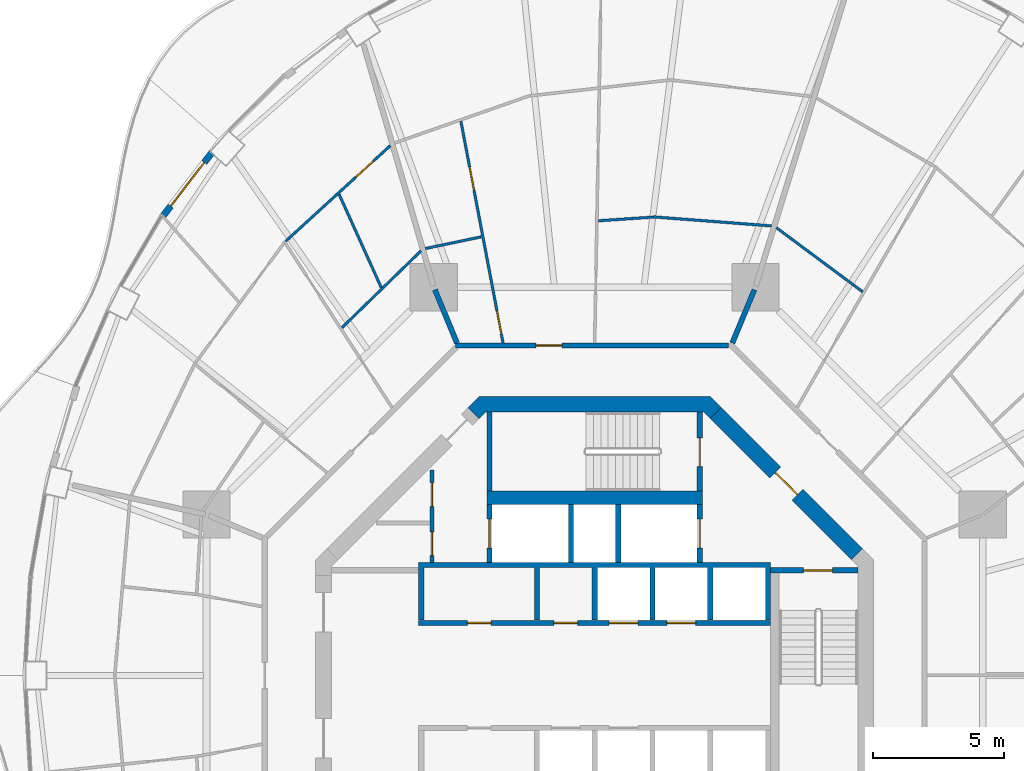
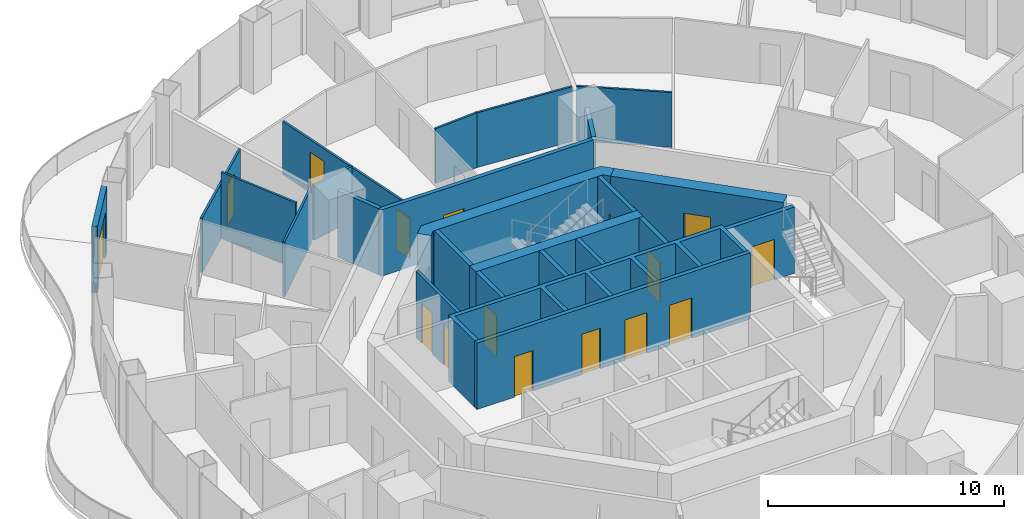
# One storey, part 14 of 19: 25 walls, 16 doors, 16 openings.
"""IFC4 building model written with IfcOpenShell, lengths in metres."""

from ifc_helpers import new_model, si_unit, direction, frame, frame_2d, origin, place, context, subcontext, project, spatial, polyline, rectangle, outline, extrude, material, layer, layer_set, type_object, element, fill, save


model = new_model("IFC4")

# Units and contexts
model_context = context("Model", 3, precision=1e-05, world=origin(), true_north=direction((0.0, 1.0)))
body_context = subcontext(model_context, "Body", "Model", "MODEL_VIEW")
ifc_project = project(units=[si_unit("LENGTHUNIT", "METRE"), si_unit("AREAUNIT", "SQUARE_METRE"), si_unit("VOLUMEUNIT", "CUBIC_METRE"), si_unit("PLANEANGLEUNIT", "RADIAN"), si_unit("MASSUNIT", "GRAM", prefix="KILO")], contexts=[model_context])

# Site, building, storey
site_placement = place(None, origin())
site = spatial("IfcSite", under=ifc_project, at=site_placement, CompositionType="ELEMENT")
building_placement = place(site_placement, origin())
building = spatial("IfcBuilding", under=site, at=building_placement, Name="Nagisa Residences", CompositionType="ELEMENT")
storey_placement = place(building_placement, frame((0.0, 0.0, 188.10009765625)))
storey = spatial("IfcBuildingStorey", under=building, at=storey_placement, Name="L47", CompositionType="ELEMENT", Elevation=188.10009765625)

# Walls
ifc_material_1 = material(Name="Gypsum board on steel studs", Category="steel")
ifc_layer_1 = layer(ifc_material_1, 0.199951171875)
ifc_layer_set_1 = layer_set([ifc_layer_1], Name="Apartment compartment wall EI60 200")
wall_type_1 = type_object("IfcWallType", Name="Apartment compartment wall EI60 200", PredefinedType="PARTITIONING", material=ifc_layer_set_1)
wall_1_placement = place(storey_placement, frame((5.24267578125, 12.6572265625, 0.0), z_axis=(0.0, 0.0, 1.0), x_axis=(0.382747093259, 0.923853160736, 0.0)))
element("IfcWall", 1, at=wall_1_placement, inside=storey, type_object=wall_type_1, Name="wall:L47:u00", PredefinedType="PARTITIONING", context=body_context, shape_type="SweptSolid", body=[
    extrude(rectangle(XDim=2.199951171875, YDim=0.199951171875, at=frame_2d((1.10009765625, 0.0))), origin(), (0.0, 0.0, 1.0), 3.43994140625),
])
wall_2_placement = place(storey_placement, frame((-5.24267578125, 12.6572265625, 0.0), z_axis=(0.0, 0.0, 1.0), x_axis=(-0.382707856524, 0.923869415315, 0.0)))
element("IfcWall", 2, at=wall_2_placement, inside=storey, type_object=wall_type_1, Name="wall:L47:u02", PredefinedType="PARTITIONING", context=body_context, shape_type="SweptSolid", body=[
    extrude(rectangle(XDim=2.2001953125, YDim=0.199951171875, at=frame_2d((1.10009765625, 0.0))), origin(), (0.0, 0.0, 1.0), 3.43994140625),
])

# Wall, opening, door
ifc_material_2 = material(Name="Gypsum board on steel studs", Category="steel")
ifc_layer_2 = layer(ifc_material_2, 0.199951171875)
ifc_layer_set_2 = layer_set([ifc_layer_2], Name="Apartment entry wall EI60 200")
wall_type_2 = type_object("IfcWallType", Name="Apartment entry wall EI60 200", PredefinedType="PARTITIONING", material=ifc_layer_set_2)
wall_3_placement = place(storey_placement, frame((5.1044921875, 12.564697265625, 0.0), z_axis=(0.0, 0.0, 1.0), x_axis=(-1.0, 0.0, 0.0)))
wall_3 = element("IfcWall", 3, at=wall_3_placement, inside=storey, type_object=wall_type_2, Name="wall:L47:u12", PredefinedType="PARTITIONING", context=body_context, shape_type="SweptSolid", body=[
    extrude(rectangle(XDim=10.408935546875, YDim=0.199951171875, at=frame_2d((5.20458984375, 0.0))), origin(), (0.0, 0.0, 1.0), 3.43994140625),
])
opening_1_placement = place(wall_3_placement, frame((6.33935546875, 0.0, 0.0)))
opening_1 = element("IfcOpeningElement", 4, at=opening_1_placement, cuts=wall_3, Name="Opening L47-U47", PredefinedType="OPENING", context=body_context, shape_type="SweptSolid", body=[
    extrude(rectangle(XDim=1.0, YDim=2.10009765625, at=frame_2d((0.5, 1.050048828125))), frame((0.0, 0.10986328125, 0.0), z_axis=(0.0, -1.0, 0.0), x_axis=(1.0, 0.0, 0.0)), (0.0, 0.0, 1.0), 0.219970703125),
])
ifc_material_3 = material(Name="Timber fire door set", Category="wood")
door_type_1 = type_object("IfcDoorType", Name="Apartment entry door FD30S 1000x2100", OperationType="NOTDEFINED", PredefinedType="DOOR", material=ifc_material_3)
door_1_placement = place(opening_1_placement, frame((1.0, 0.0, 0.0), x_axis=(-1.0, 0.0, 0.0)))
door_1 = element("IfcDoor", 5, at=door_1_placement, inside=storey, type_object=door_type_1, Name="Entry door, Apartment 47E", OperationType="SINGLE_SWING_RIGHT", OverallHeight=2.10009765625, OverallWidth=1.0, PredefinedType="DOOR", context=body_context, shape_type="SweptSolid", body=[
    extrude(rectangle(XDim=1.0, YDim=2.10009765625, at=frame_2d((0.5, 1.050048828125))), frame((0.0, 0.02490234375, 0.0), z_axis=(0.0, -1.0, 0.0), x_axis=(1.0, 0.0, 0.0)), (0.0, 0.0, 1.0), 0.050048828125),
])
fill(opening_1, door_1)

# Walls
ifc_material_4 = material(Name="Gypsum board on steel studs", Category="steel")
ifc_layer_3 = layer(ifc_material_4, 0.10009765625)
ifc_layer_set_3 = layer_set([ifc_layer_3], Name="Apartment partition 100")
wall_type_3 = type_object("IfcWallType", Name="Apartment partition 100", PredefinedType="PARTITIONING", material=ifc_layer_set_3)
wall_4_placement = place(storey_placement, frame((10.20654296875, 14.609619140625, 0.0), z_axis=(0.0, 0.0, 1.0), x_axis=(-0.802769141821, 0.596289950394, 0.0)))
element("IfcWall", 6, at=wall_4_placement, inside=storey, type_object=wall_type_3, Name="wall:L47:u36", PredefinedType="PARTITIONING", context=body_context, shape_type="SweptSolid", body=[
    extrude(rectangle(XDim=4.09228515625, YDim=0.10009765625, at=frame_2d((2.046142578125, 0.0))), origin(), (0.0, 0.0, 1.0), 2.8369140625),
])
wall_5_placement = place(storey_placement, frame((6.7412109375, 17.1171875, 0.0), z_axis=(0.0, 0.0, 1.0), x_axis=(-0.997078320723, 0.076386008825, 0.0)))
element("IfcWall", 7, at=wall_5_placement, inside=storey, type_object=wall_type_3, Name="wall:L47:u38", PredefinedType="PARTITIONING", context=body_context, shape_type="SweptSolid", body=[
    extrude(rectangle(XDim=4.509765625, YDim=0.10009765625, at=frame_2d((2.2548828125, 0.0))), origin(), (0.0, 0.0, 1.0), 2.8369140625),
])
wall_6_placement = place(storey_placement, frame((2.244384765625, 17.45458984375, 0.0), z_axis=(0.0, 0.0, 1.0), x_axis=(-0.997756833447, -0.06694252243, 0.0)))
element("IfcWall", 8, at=wall_6_placement, inside=storey, type_object=wall_type_3, Name="wall:L47:u40", PredefinedType="PARTITIONING", context=body_context, shape_type="SweptSolid", body=[
    extrude(rectangle(XDim=2.104248046875, YDim=0.10009765625, at=frame_2d((1.05224609375, 0.0))), origin(), (0.0, 0.0, 1.0), 2.8369140625),
])

# Wall, openings, doors
wall_7_placement = place(storey_placement, frame((-3.48828125, 12.6630859375, 0.0), z_axis=(0.0, 0.0, 1.0), x_axis=(-0.186783185485, 0.982401161247, 0.0)))
wall_7 = element("IfcWall", 9, at=wall_7_placement, inside=storey, type_object=wall_type_3, Name="wall:L47:u44", PredefinedType="PARTITIONING", context=body_context, shape_type="SweptSolid", body=[
    extrude(rectangle(XDim=8.595458984375, YDim=0.10009765625, at=frame_2d((4.2978515625, 0.0))), origin(), (0.0, 0.0, 1.0), 2.755859375),
])
opening_2_placement = place(wall_7_placement, frame((0.35009765625, 0.0, 0.0)))
opening_2 = element("IfcOpeningElement", 10, at=opening_2_placement, cuts=wall_7, Name="Opening L47-U49", PredefinedType="OPENING", context=body_context, shape_type="SweptSolid", body=[
    extrude(rectangle(XDim=0.89990234375, YDim=2.10009765625, at=frame_2d((0.449951171875, 1.050048828125))), frame((0.0, 0.06005859375, 0.0), z_axis=(0.0, -1.0, 0.0), x_axis=(1.0, 0.0, 0.0)), (0.0, 0.0, 1.0), 0.1201171875),
])
opening_3_placement = place(wall_7_placement, frame((5.908447265625, 0.0, 0.0)))
opening_3 = element("IfcOpeningElement", 11, at=opening_3_placement, cuts=wall_7, Name="Opening L47-U51", PredefinedType="OPENING", context=body_context, shape_type="SweptSolid", body=[
    extrude(rectangle(XDim=0.89990234375, YDim=2.10009765625, at=frame_2d((0.449951171875, 1.050048828125))), frame((0.0, 0.06005859375, 0.0), z_axis=(0.0, -1.0, 0.0), x_axis=(1.0, 0.0, 0.0)), (0.0, 0.0, 1.0), 0.1201171875),
])
ifc_material_5 = material(Name="Timber door set", Category="wood")
door_type_2 = type_object("IfcDoorType", Name="Apartment door 900x2100", OperationType="NOTDEFINED", PredefinedType="DOOR", material=ifc_material_5)
door_2_placement = place(opening_2_placement, origin())
door_2 = element("IfcDoor", 12, at=door_2_placement, inside=storey, type_object=door_type_2, Name="Door to family bathroom, Apartment 47E", OperationType="SINGLE_SWING_LEFT", OverallHeight=2.10009765625, OverallWidth=0.89990234375, PredefinedType="DOOR", context=body_context, shape_type="SweptSolid", body=[
    extrude(rectangle(XDim=0.89990234375, YDim=2.10009765625, at=frame_2d((0.449951171875, 1.050048828125))), frame((0.0, 0.02490234375, 0.0), z_axis=(0.0, -1.0, 0.0), x_axis=(1.0, 0.0, 0.0)), (0.0, 0.0, 1.0), 0.050048828125),
])
fill(opening_2, door_2)
door_3_placement = place(opening_3_placement, origin())
door_3 = element("IfcDoor", 13, at=door_3_placement, inside=storey, type_object=door_type_2, Name="Door to family bathroom, Apartment 47E", OperationType="SINGLE_SWING_LEFT", OverallHeight=2.10009765625, OverallWidth=0.89990234375, PredefinedType="DOOR", context=body_context, shape_type="SweptSolid", body=[
    extrude(rectangle(XDim=0.89990234375, YDim=2.10009765625, at=frame_2d((0.449951171875, 1.050048828125))), frame((0.0, 0.02490234375, 0.0), z_axis=(0.0, -1.0, 0.0), x_axis=(1.0, 0.0, 0.0)), (0.0, 0.0, 1.0), 0.050048828125),
])
fill(opening_3, door_3)

# Walls
wall_8_placement = place(storey_placement, frame((-4.324462890625, 16.69921875, 0.0), z_axis=(0.0, 0.0, 1.0), x_axis=(-0.978909151576, -0.204296042448, 0.0)))
element("IfcWall", 14, at=wall_8_placement, inside=storey, type_object=wall_type_3, Name="wall:L47:u45", PredefinedType="PARTITIONING", context=body_context, shape_type="SweptSolid", body=[
    extrude(rectangle(XDim=2.167724609375, YDim=0.10009765625, at=frame_2d((1.083984375, 0.0))), origin(), (0.0, 0.0, 1.0), 2.8369140625),
])
wall_9_placement = place(storey_placement, frame((-6.6162109375, 16.166259765625, 0.0), z_axis=(0.0, 0.0, 1.0), x_axis=(-0.716919058692, -0.697156412352, 0.0)))
element("IfcWall", 15, at=wall_9_placement, inside=storey, type_object=wall_type_3, Name="wall:L47:u46", PredefinedType="PARTITIONING", context=body_context, shape_type="SweptSolid", body=[
    extrude(rectangle(XDim=4.2001953125, YDim=0.10009765625, at=frame_2d((2.10009765625, 0.0))), origin(), (0.0, 0.0, 1.0), 2.8369140625),
])

# Wall, opening, door
wall_10_placement = place(storey_placement, frame((-7.78076171875, 20.177734375, 0.0), z_axis=(0.0, 0.0, 1.0), x_axis=(-0.73807320557, -0.674720640872, 0.0)))
wall_10 = element("IfcWall", 16, at=wall_10_placement, inside=storey, type_object=wall_type_3, Name="wall:L47:u47", PredefinedType="PARTITIONING", context=body_context, shape_type="SweptSolid", body=[
    extrude(rectangle(XDim=5.39892578125, YDim=0.10009765625, at=frame_2d((2.699462890625, 0.0))), origin(), (0.0, 0.0, 1.0), 2.8369140625),
])
opening_4_placement = place(wall_10_placement, frame((0.88720703125, 0.0, 0.0)))
opening_4 = element("IfcOpeningElement", 17, at=opening_4_placement, cuts=wall_10, Name="Opening L47-U08", PredefinedType="OPENING", context=body_context, shape_type="SweptSolid", body=[
    extrude(rectangle(XDim=0.89990234375, YDim=2.10009765625, at=frame_2d((0.449951171875, 1.050048828125))), frame((0.0, 0.06005859375, 0.0), z_axis=(0.0, -1.0, 0.0), x_axis=(1.0, 0.0, 0.0)), (0.0, 0.0, 1.0), 0.1201171875),
])
door_4_placement = place(opening_4_placement, origin())
door_4 = element("IfcDoor", 18, at=door_4_placement, inside=storey, type_object=door_type_2, Name="Door to en-suite bathroom, Apartment 47A", OperationType="SINGLE_SWING_RIGHT", OverallHeight=2.10009765625, OverallWidth=0.89990234375, PredefinedType="DOOR", context=body_context, shape_type="SweptSolid", body=[
    extrude(rectangle(XDim=0.89990234375, YDim=2.10009765625, at=frame_2d((0.449951171875, 1.050048828125))), frame((0.0, 0.02490234375, 0.0), z_axis=(0.0, -1.0, 0.0), x_axis=(1.0, 0.0, 0.0)), (0.0, 0.0, 1.0), 0.050048828125),
])
fill(opening_4, door_4)

# Wall
wall_11_placement = place(storey_placement, frame((-8.12451171875, 14.76513671875, 0.0), z_axis=(0.0, 0.0, 1.0), x_axis=(-0.411745679848, 0.911298795745, 0.0)))
element("IfcWall", 19, at=wall_11_placement, inside=storey, type_object=wall_type_3, Name="wall:L47:u48", PredefinedType="PARTITIONING", context=body_context, shape_type="SweptSolid", body=[
    extrude(rectangle(XDim=3.9091796875, YDim=0.10009765625, at=frame_2d((1.95458984375, 0.0))), origin(), (0.0, 0.0, 1.0), 3.43994140625),
])

# Wall, opening, door
ifc_material_6 = material(Name="Precast concrete C40/50", Category="concrete")
ifc_layer_4 = layer(ifc_material_6, 0.25)
ifc_layer_set_4 = layer_set([ifc_layer_4], Name="BALCONY DOOR WALL 250")
wall_type_4 = type_object("IfcWallType", Name="BALCONY DOOR WALL 250", PredefinedType="SOLIDWALL", material=ifc_layer_set_4)
wall_12_placement = place(storey_placement, frame((-16.432373046875, 17.501708984375, 0.0), z_axis=(0.0, 0.0, 1.0), x_axis=(0.610437428894, 0.79206448311, 0.0)))
wall_12 = element("IfcWall", 20, at=wall_12_placement, inside=storey, type_object=wall_type_4, Name="wall:L47:bay18", PredefinedType="SOLIDWALL", context=body_context, shape_type="SweptSolid", body=[
    extrude(rectangle(XDim=3.03515625, YDim=0.25, at=frame_2d((1.517578125, 0.0))), origin(), (0.0, 0.0, 1.0), 3.43994140625),
])
opening_5_placement = place(wall_12_placement, frame((0.467529296875, 0.0, 0.0)))
opening_5 = element("IfcOpeningElement", 21, at=opening_5_placement, cuts=wall_12, Name="Opening BD-L47-07", PredefinedType="OPENING", context=body_context, shape_type="SweptSolid", body=[
    extrude(rectangle(XDim=2.10009765625, YDim=2.39990234375, at=frame_2d((1.050048828125, 1.199951171875))), frame((0.0, 0.135009765625, 0.0), z_axis=(0.0, -1.0, 0.0), x_axis=(1.0, 0.0, 0.0)), (0.0, 0.0, 1.0), 0.27001953125),
])
ifc_material_7 = material(Name="Aluminium and clear glass", Category="aluminium")
door_type_3 = type_object("IfcDoorType", Name="BALCONY SLIDING DOOR 2100x2400", OperationType="SLIDING_TO_LEFT", PredefinedType="DOOR", material=ifc_material_7)
door_5_placement = place(opening_5_placement, origin())
door_5 = element("IfcDoor", 22, at=door_5_placement, inside=storey, type_object=door_type_3, Name="door:L47:bay18", OperationType="SLIDING_TO_LEFT", OverallHeight=2.39990234375, OverallWidth=2.10009765625, PredefinedType="DOOR", context=body_context, shape_type="SweptSolid", body=[
    extrude(rectangle(XDim=2.10009765625, YDim=2.39990234375, at=frame_2d((1.050048828125, 1.199951171875))), frame((0.0, 0.02490234375, 0.0), z_axis=(0.0, -1.0, 0.0), x_axis=(1.0, 0.0, 0.0)), (0.0, 0.0, 1.0), 0.050048828125),
])
fill(opening_5, door_5)

# Wall, openings, doors
ifc_material_8 = material(Name="Gypsum board on steel studs", Category="steel")
ifc_layer_5 = layer(ifc_material_8, 0.14990234375)
ifc_layer_set_5 = layer_set([ifc_layer_5], Name="Core partition 150")
wall_type_5 = type_object("IfcWallType", Name="Core partition 150", PredefinedType="PARTITIONING", material=ifc_layer_set_5)
wall_13_placement = place(storey_placement, frame((-6.199951171875, 4.300048828125, 0.0), z_axis=(0.0, 0.0, 1.0), x_axis=(0.0, 1.0, 0.0)))
wall_13 = element("IfcWall", 23, at=wall_13_placement, inside=storey, type_object=wall_type_5, Name="wall:L47:NWp", PredefinedType="PARTITIONING", context=body_context, shape_type="SweptSolid", body=[
    extrude(rectangle(XDim=3.52685546875, YDim=0.14990234375, at=frame_2d((1.763427734375, 0.0))), origin(), (0.0, 0.0, 1.0), 3.43994140625),
])
opening_6_placement = place(wall_13_placement, frame((0.262451171875, 0.0, 0.0)))
opening_6 = element("IfcOpeningElement", 24, at=opening_6_placement, cuts=wall_13, Name="Opening L47-C11", PredefinedType="OPENING", context=body_context, shape_type="SweptSolid", body=[
    extrude(rectangle(XDim=0.89990234375, YDim=2.10009765625, at=frame_2d((0.449951171875, 1.050048828125))), frame((0.0, 0.0849609375, 0.0), z_axis=(0.0, -1.0, 0.0), x_axis=(1.0, 0.0, 0.0)), (0.0, 0.0, 1.0), 0.169921875),
])
opening_7_placement = place(wall_13_placement, frame((2.138427734375, 0.0, 0.0)))
opening_7 = element("IfcOpeningElement", 25, at=opening_7_placement, cuts=wall_13, Name="Opening L47-C12", PredefinedType="OPENING", context=body_context, shape_type="SweptSolid", body=[
    extrude(rectangle(XDim=0.89990234375, YDim=2.10009765625, at=frame_2d((0.449951171875, 1.050048828125))), frame((0.0, 0.0849609375, 0.0), z_axis=(0.0, -1.0, 0.0), x_axis=(1.0, 0.0, 0.0)), (0.0, 0.0, 1.0), 0.169921875),
])
ifc_material_9 = material(Name="Steel fire door", Category="steel")
door_type_4 = type_object("IfcDoorType", Name="Fire door EI30 900x2100 single swing", OperationType="NOTDEFINED", PredefinedType="DOOR", material=ifc_material_9)
door_6_placement = place(opening_6_placement, origin())
door_6 = element("IfcDoor", 26, at=door_6_placement, inside=storey, type_object=door_type_4, Name="Electrical room door L47", OperationType="SINGLE_SWING_LEFT", OverallHeight=2.10009765625, OverallWidth=0.89990234375, PredefinedType="DOOR", context=body_context, shape_type="SweptSolid", body=[
    extrude(rectangle(XDim=0.89990234375, YDim=2.10009765625, at=frame_2d((0.449951171875, 1.050048828125))), frame((0.0, 0.02490234375, 0.0), z_axis=(0.0, -1.0, 0.0), x_axis=(1.0, 0.0, 0.0)), (0.0, 0.0, 1.0), 0.050048828125),
])
fill(opening_6, door_6)
door_7_placement = place(opening_7_placement, origin())
door_7 = element("IfcDoor", 27, at=door_7_placement, inside=storey, type_object=door_type_4, Name="Telecom room door L47", OperationType="SINGLE_SWING_LEFT", OverallHeight=2.10009765625, OverallWidth=0.89990234375, PredefinedType="DOOR", context=body_context, shape_type="SweptSolid", body=[
    extrude(rectangle(XDim=0.89990234375, YDim=2.10009765625, at=frame_2d((0.449951171875, 1.050048828125))), frame((0.0, 0.02490234375, 0.0), z_axis=(0.0, -1.0, 0.0), x_axis=(1.0, 0.0, 0.0)), (0.0, 0.0, 1.0), 0.050048828125),
])
fill(opening_7, door_7)

# Wall, opening, door
ifc_material_10 = material(Name="Concrete C60", Category="concrete")
ifc_layer_6 = layer(ifc_material_10, 0.60009765625)
ifc_layer_set_6 = layer_set([ifc_layer_6], Name="Core shear wall 600")
wall_type_6 = type_object("IfcWallType", Name="Core shear wall 600", PredefinedType="SHEAR", material=ifc_layer_set_6)
wall_14_placement = place(storey_placement, frame((9.98828125, 4.613037109375, 0.0), z_axis=(0.0, 0.0, 1.0), x_axis=(-0.707106781187, 0.707106781187, 0.0)))
wall_14 = element("IfcWall", 28, at=wall_14_placement, inside=storey, type_object=wall_type_6, Name="wall:L47:core:flat1", PredefinedType="SHEAR", context=body_context, shape_type="SweptSolid", body=[
    extrude(rectangle(XDim=7.601806640625, YDim=0.60009765625, at=frame_2d((3.80078125, 0.0))), origin(), (0.0, 0.0, 1.0), 3.43994140625),
])
opening_8_placement = place(wall_14_placement, frame((3.200927734375, 0.0, 0.0)))
opening_8 = element("IfcOpeningElement", 29, at=opening_8_placement, cuts=wall_14, Name="Opening L47-C18", PredefinedType="OPENING", context=body_context, shape_type="SweptSolid", body=[
    extrude(rectangle(XDim=1.199951171875, YDim=2.10009765625, at=frame_2d((0.60009765625, 1.050048828125))), frame((0.0, 0.31005859375, 0.0), z_axis=(0.0, -1.0, 0.0), x_axis=(1.0, 0.0, 0.0)), (0.0, 0.0, 1.0), 0.6201171875),
])
ifc_material_11 = material(Name="Steel fire door", Category="steel")
door_type_5 = type_object("IfcDoorType", Name="Fire door EI60 1200x2100 single swing", OperationType="NOTDEFINED", PredefinedType="DOOR", material=ifc_material_11)
door_8_placement = place(opening_8_placement, origin())
door_8 = element("IfcDoor", 30, at=door_8_placement, inside=storey, type_object=door_type_5, Name="Firefighting lobby 1 door L47", OperationType="SINGLE_SWING_RIGHT", OverallHeight=2.10009765625, OverallWidth=1.199951171875, PredefinedType="DOOR", context=body_context, shape_type="SweptSolid", body=[
    extrude(rectangle(XDim=1.199951171875, YDim=2.10009765625, at=frame_2d((0.60009765625, 1.050048828125))), frame((0.0, 0.02490234375, 0.0), z_axis=(0.0, -1.0, 0.0), x_axis=(1.0, 0.0, 0.0)), (0.0, 0.0, 1.0), 0.050048828125),
])
fill(opening_8, door_8)

# Wall
wall_15_placement = place(storey_placement, origin())
element("IfcWall", 31, at=wall_15_placement, inside=storey, type_object=wall_type_6, Name="wall:L47:core:flat2", PredefinedType="SHEAR", context=body_context, shape_type="SweptSolid", body=[
    extrude(outline(polyline([(-4.15234375, 10.024658203125), (-4.40087890625, 9.776123046875), (-4.8251953125, 10.200439453125), (-4.40087890625, 10.62451171875), (4.40087890625, 10.62451171875), (4.8251953125, 10.200439453125), (4.40087890625, 9.776123046875), (4.15234375, 10.024658203125), (-4.15234375, 10.024658203125)])), origin(), (0.0, 0.0, 1.0), 3.43994140625),
])

# Wall, opening, door
ifc_material_12 = material(Name="Concrete C60", Category="concrete")
ifc_layer_7 = layer(ifc_material_12, 0.199951171875)
ifc_layer_set_7 = layer_set([ifc_layer_7], Name="Lift shaft wall 200")
wall_type_7 = type_object("IfcWallType", Name="Lift shaft wall 200", PredefinedType="SOLIDWALL", material=ifc_layer_set_7)
wall_16_placement = place(storey_placement, frame((4.0, 4.300048828125, 0.0), z_axis=(0.0, 0.0, 1.0), x_axis=(0.0, 1.0, 0.0)))
wall_16 = element("IfcWall", 32, at=wall_16_placement, inside=storey, type_object=wall_type_7, Name="wall:L47:Nb3", PredefinedType="SOLIDWALL", context=body_context, shape_type="SweptSolid", body=[
    extrude(rectangle(XDim=2.199951171875, YDim=0.199951171875, at=frame_2d((1.10009765625, 0.0))), origin(), (0.0, 0.0, 1.0), 3.43994140625),
])
opening_9_placement = place(wall_16_placement, frame((0.550048828125, 0.0, 0.0)))
opening_9 = element("IfcOpeningElement", 33, at=opening_9_placement, cuts=wall_16, Name="Opening L47-C05", PredefinedType="OPENING", context=body_context, shape_type="SweptSolid", body=[
    extrude(rectangle(XDim=1.10009765625, YDim=2.10009765625, at=frame_2d((0.550048828125, 1.050048828125))), frame((0.0, 0.10986328125, 0.0), z_axis=(0.0, -1.0, 0.0), x_axis=(1.0, 0.0, 0.0)), (0.0, 0.0, 1.0), 0.219970703125),
])
ifc_material_13 = material(Name="Stainless steel", Category="steel")
door_type_6 = type_object("IfcDoorType", Name="Lift landing door 1100x2100", OperationType="DOUBLE_DOOR_SLIDING", PredefinedType="DOOR", material=ifc_material_13)
door_9_placement = place(opening_9_placement, origin())
door_9 = element("IfcDoor", 34, at=door_9_placement, inside=storey, type_object=door_type_6, Name="Landing door FL1 L47", OperationType="DOUBLE_DOOR_SLIDING", OverallHeight=2.10009765625, OverallWidth=1.10009765625, PredefinedType="DOOR", context=body_context, shape_type="SweptSolid", body=[
    extrude(rectangle(XDim=1.10009765625, YDim=2.10009765625, at=frame_2d((0.550048828125, 1.050048828125))), frame((0.0, 0.02490234375, 0.0), z_axis=(0.0, -1.0, 0.0), x_axis=(1.0, 0.0, 0.0)), (0.0, 0.0, 1.0), 0.050048828125),
])
fill(opening_9, door_9)

wall_17_placement = place(storey_placement, frame((-4.0, 4.300048828125, 0.0), z_axis=(0.0, 0.0, 1.0), x_axis=(0.0, 1.0, 0.0)))
wall_17 = element("IfcWall", 35, at=wall_17_placement, inside=storey, type_object=wall_type_7, Name="wall:L47:Nb4", PredefinedType="SOLIDWALL", context=body_context, shape_type="SweptSolid", body=[
    extrude(rectangle(XDim=2.199951171875, YDim=0.199951171875, at=frame_2d((1.10009765625, 0.0))), origin(), (0.0, 0.0, 1.0), 3.43994140625),
])
opening_10_placement = place(wall_17_placement, frame((0.550048828125, 0.0, 0.0)))
opening_10 = element("IfcOpeningElement", 36, at=opening_10_placement, cuts=wall_17, Name="Opening L47-C07", PredefinedType="OPENING", context=body_context, shape_type="SweptSolid", body=[
    extrude(rectangle(XDim=1.10009765625, YDim=2.10009765625, at=frame_2d((0.550048828125, 1.050048828125))), frame((0.0, 0.10986328125, 0.0), z_axis=(0.0, -1.0, 0.0), x_axis=(1.0, 0.0, 0.0)), (0.0, 0.0, 1.0), 0.219970703125),
])
door_10_placement = place(opening_10_placement, origin())
door_10 = element("IfcDoor", 37, at=door_10_placement, inside=storey, type_object=door_type_6, Name="Landing door SV L47", OperationType="DOUBLE_DOOR_SLIDING", OverallHeight=2.10009765625, OverallWidth=1.10009765625, PredefinedType="DOOR", context=body_context, shape_type="SweptSolid", body=[
    extrude(rectangle(XDim=1.10009765625, YDim=2.10009765625, at=frame_2d((0.550048828125, 1.050048828125))), frame((0.0, 0.02490234375, 0.0), z_axis=(0.0, -1.0, 0.0), x_axis=(1.0, 0.0, 0.0)), (0.0, 0.0, 1.0), 0.050048828125),
])
fill(opening_10, door_10)

# Wall, openings, doors
wall_18_placement = place(storey_placement, frame((-6.699951171875, 2.0, 0.0), z_axis=(0.0, 0.0, 1.0), x_axis=(1.0, 0.0, 0.0)))
wall_18 = element("IfcWall", 38, at=wall_18_placement, inside=storey, type_object=wall_type_7, Name="wall:L47:Nfront", PredefinedType="SOLIDWALL", context=body_context, shape_type="SweptSolid", body=[
    extrude(rectangle(XDim=13.39990234375, YDim=0.199951171875, at=frame_2d((6.699951171875, 0.0))), origin(), (0.0, 0.0, 1.0), 3.43994140625),
])
opening_11_placement = place(wall_18_placement, frame((7.25, 0.0, 0.0)))
opening_11 = element("IfcOpeningElement", 39, at=opening_11_placement, cuts=wall_18, Name="Opening L47-C01", PredefinedType="OPENING", context=body_context, shape_type="SweptSolid", body=[
    extrude(rectangle(XDim=1.10009765625, YDim=2.10009765625, at=frame_2d((0.550048828125, 1.050048828125))), frame((0.0, 0.10986328125, 0.0), z_axis=(0.0, -1.0, 0.0), x_axis=(1.0, 0.0, 0.0)), (0.0, 0.0, 1.0), 0.219970703125),
])
opening_12_placement = place(wall_18_placement, frame((9.449951171875, 0.0, 0.0)))
opening_12 = element("IfcOpeningElement", 40, at=opening_12_placement, cuts=wall_18, Name="Opening L47-C02", PredefinedType="OPENING", context=body_context, shape_type="SweptSolid", body=[
    extrude(rectangle(XDim=1.10009765625, YDim=2.10009765625, at=frame_2d((0.550048828125, 1.050048828125))), frame((0.0, 0.10986328125, 0.0), z_axis=(0.0, -1.0, 0.0), x_axis=(1.0, 0.0, 0.0)), (0.0, 0.0, 1.0), 0.219970703125),
])
opening_13_placement = place(wall_18_placement, frame((1.85009765625, 0.0, 0.0)))
opening_13 = element("IfcOpeningElement", 41, at=opening_13_placement, cuts=wall_18, Name="Opening L47-C15", PredefinedType="OPENING", context=body_context, shape_type="SweptSolid", body=[
    extrude(rectangle(XDim=0.89990234375, YDim=2.10009765625, at=frame_2d((0.449951171875, 1.050048828125))), frame((0.0, 0.10986328125, 0.0), z_axis=(0.0, -1.0, 0.0), x_axis=(1.0, 0.0, 0.0)), (0.0, 0.0, 1.0), 0.219970703125),
])
opening_14_placement = place(wall_18_placement, frame((5.14990234375, 0.0, 0.0)))
opening_14 = element("IfcOpeningElement", 42, at=opening_14_placement, cuts=wall_18, Name="Opening L47-C16", PredefinedType="OPENING", context=body_context, shape_type="SweptSolid", body=[
    extrude(rectangle(XDim=0.89990234375, YDim=2.10009765625, at=frame_2d((0.449951171875, 1.050048828125))), frame((0.0, 0.10986328125, 0.0), z_axis=(0.0, -1.0, 0.0), x_axis=(1.0, 0.0, 0.0)), (0.0, 0.0, 1.0), 0.219970703125),
])
door_11_placement = place(opening_13_placement, origin())
door_11 = element("IfcDoor", 43, at=door_11_placement, inside=storey, type_object=door_type_4, Name="Linen store door L47", OperationType="SINGLE_SWING_RIGHT", OverallHeight=2.10009765625, OverallWidth=0.89990234375, PredefinedType="DOOR", context=body_context, shape_type="SweptSolid", body=[
    extrude(rectangle(XDim=0.89990234375, YDim=2.10009765625, at=frame_2d((0.449951171875, 1.050048828125))), frame((0.0, 0.02490234375, 0.0), z_axis=(0.0, -1.0, 0.0), x_axis=(1.0, 0.0, 0.0)), (0.0, 0.0, 1.0), 0.050048828125),
])
fill(opening_13, door_11)
door_12_placement = place(opening_14_placement, origin())
door_12 = element("IfcDoor", 44, at=door_12_placement, inside=storey, type_object=door_type_4, Name="Tea preparation door L47", OperationType="SINGLE_SWING_RIGHT", OverallHeight=2.10009765625, OverallWidth=0.89990234375, PredefinedType="DOOR", context=body_context, shape_type="SweptSolid", body=[
    extrude(rectangle(XDim=0.89990234375, YDim=2.10009765625, at=frame_2d((0.449951171875, 1.050048828125))), frame((0.0, 0.02490234375, 0.0), z_axis=(0.0, -1.0, 0.0), x_axis=(1.0, 0.0, 0.0)), (0.0, 0.0, 1.0), 0.050048828125),
])
fill(opening_14, door_12)
door_13_placement = place(opening_11_placement, origin())
door_13 = element("IfcDoor", 45, at=door_13_placement, inside=storey, type_object=door_type_6, Name="Landing door B1 L47", OperationType="DOUBLE_DOOR_SLIDING", OverallHeight=2.10009765625, OverallWidth=1.10009765625, PredefinedType="DOOR", context=body_context, shape_type="SweptSolid", body=[
    extrude(rectangle(XDim=1.10009765625, YDim=2.10009765625, at=frame_2d((0.550048828125, 1.050048828125))), frame((0.0, 0.02490234375, 0.0), z_axis=(0.0, -1.0, 0.0), x_axis=(1.0, 0.0, 0.0)), (0.0, 0.0, 1.0), 0.050048828125),
])
fill(opening_11, door_13)
door_14_placement = place(opening_12_placement, origin())
door_14 = element("IfcDoor", 46, at=door_14_placement, inside=storey, type_object=door_type_6, Name="Landing door B2 L47", OperationType="DOUBLE_DOOR_SLIDING", OverallHeight=2.10009765625, OverallWidth=1.10009765625, PredefinedType="DOOR", context=body_context, shape_type="SweptSolid", body=[
    extrude(rectangle(XDim=1.10009765625, YDim=2.10009765625, at=frame_2d((0.550048828125, 1.050048828125))), frame((0.0, 0.02490234375, 0.0), z_axis=(0.0, -1.0, 0.0), x_axis=(1.0, 0.0, 0.0)), (0.0, 0.0, 1.0), 0.050048828125),
])
fill(opening_12, door_14)

# Walls
for number, where, z_axis, x_axis, name in (
    (47, (-0.89990234375, 4.300048828125, 0.0), (0.0, 0.0, 1.0), (0.0, 1.0, 0.0), "wall:L47:Nb1"),
    (48, (0.89990234375, 4.300048828125, 0.0), (0.0, 0.0, 1.0), (0.0, 1.0, 0.0), "wall:L47:Nb2"),
):
    element("IfcWall", number, at=place(storey_placement, frame(where, z_axis=z_axis, x_axis=x_axis)), inside=storey, type_object=wall_type_7, Name=name, PredefinedType="SOLIDWALL", context=body_context, shape_type="SweptSolid", body=[
        extrude(rectangle(XDim=2.199951171875, YDim=0.199951171875, at=frame_2d((1.10009765625, 0.0))), origin(), (0.0, 0.0, 1.0), 3.43994140625),
    ])
wall_19_placement = place(storey_placement, origin())
element("IfcWall", 49, at=wall_19_placement, inside=storey, type_object=wall_type_7, Name="wall:L47:Nback", PredefinedType="SOLIDWALL", context=body_context, shape_type="SweptSolid", body=[
    extrude(outline(polyline([(-6.699951171875, 4.300048828125), (6.699951171875, 4.300048828125), (6.699951171875, 2.10009765625), (6.5, 2.10009765625), (6.5, 4.10009765625), (4.5, 4.10009765625), (4.5, 2.10009765625), (4.300048828125, 2.10009765625), (4.300048828125, 4.10009765625), (2.300048828125, 4.10009765625), (2.300048828125, 2.10009765625), (2.10009765625, 2.10009765625), (2.10009765625, 4.10009765625), (0.10009765625, 4.10009765625), (0.10009765625, 2.10009765625), (-0.10009765625, 2.10009765625), (-0.10009765625, 4.10009765625), (-2.10009765625, 4.10009765625), (-2.10009765625, 2.10009765625), (-2.300048828125, 2.10009765625), (-2.300048828125, 4.10009765625), (-6.5, 4.10009765625), (-6.5, 2.10009765625), (-6.699951171875, 2.10009765625), (-6.699951171875, 4.300048828125)])), origin(), (0.0, 0.0, 1.0), 3.43994140625),
])

# Wall, opening, door
ifc_material_14 = material(Name="Concrete C60", Category="concrete")
ifc_layer_8 = layer(ifc_material_14, 0.199951171875)
ifc_layer_set_8 = layer_set([ifc_layer_8], Name="Stair enclosure wall 200")
wall_type_8 = type_object("IfcWallType", Name="Stair enclosure wall 200", PredefinedType="SOLIDWALL", material=ifc_layer_set_8)
wall_20_placement = place(storey_placement, frame((6.699951171875, 4.0, 0.0), z_axis=(0.0, 0.0, 1.0), x_axis=(1.0, 0.0, 0.0)))
wall_20 = element("IfcWall", 50, at=wall_20_placement, inside=storey, type_object=wall_type_8, Name="wall:L47:SE_n", PredefinedType="SOLIDWALL", context=body_context, shape_type="SweptSolid", body=[
    extrude(rectangle(XDim=3.32470703125, YDim=0.199951171875, at=frame_2d((1.662353515625, 0.0))), origin(), (0.0, 0.0, 1.0), 3.43994140625),
])
opening_15_placement = place(wall_20_placement, frame((1.25, 0.0, 0.0)))
opening_15 = element("IfcOpeningElement", 51, at=opening_15_placement, cuts=wall_20, Name="Opening L47-C08", PredefinedType="OPENING", context=body_context, shape_type="SweptSolid", body=[
    extrude(rectangle(XDim=1.10009765625, YDim=2.10009765625, at=frame_2d((0.550048828125, 1.050048828125))), frame((0.0, 0.10986328125, 0.0), z_axis=(0.0, -1.0, 0.0), x_axis=(1.0, 0.0, 0.0)), (0.0, 0.0, 1.0), 0.219970703125),
])
ifc_material_15 = material(Name="Steel fire door", Category="steel")
door_type_7 = type_object("IfcDoorType", Name="Fire door EI90 1100x2100 single swing", OperationType="NOTDEFINED", PredefinedType="DOOR", material=ifc_material_15)
door_15_placement = place(opening_15_placement, frame((1.10009765625, 0.0, 0.0), x_axis=(-1.0, 0.0, 0.0)))
door_15 = element("IfcDoor", 52, at=door_15_placement, inside=storey, type_object=door_type_7, Name="Stair door ST-E L47", OperationType="SINGLE_SWING_LEFT", OverallHeight=2.10009765625, OverallWidth=1.10009765625, PredefinedType="DOOR", context=body_context, shape_type="SweptSolid", body=[
    extrude(rectangle(XDim=1.10009765625, YDim=2.10009765625, at=frame_2d((0.550048828125, 1.050048828125))), frame((0.0, 0.02490234375, 0.0), z_axis=(0.0, -1.0, 0.0), x_axis=(1.0, 0.0, 0.0)), (0.0, 0.0, 1.0), 0.050048828125),
])
fill(opening_15, door_15)

wall_21_placement = place(storey_placement, frame((4.0, 7.024658203125, 0.0), z_axis=(0.0, 0.0, 1.0), x_axis=(0.0, 1.0, 0.0)))
wall_21 = element("IfcWall", 53, at=wall_21_placement, inside=storey, type_object=wall_type_8, Name="wall:L47:SN_e", PredefinedType="SOLIDWALL", context=body_context, shape_type="SweptSolid", body=[
    extrude(rectangle(XDim=3.0, YDim=0.199951171875, at=frame_2d((1.5, 0.0))), origin(), (0.0, 0.0, 1.0), 3.43994140625),
])
opening_16_placement = place(wall_21_placement, frame((0.92529296875, 0.0, 0.0)))
opening_16 = element("IfcOpeningElement", 54, at=opening_16_placement, cuts=wall_21, Name="Opening L47-C09", PredefinedType="OPENING", context=body_context, shape_type="SweptSolid", body=[
    extrude(rectangle(XDim=1.10009765625, YDim=2.10009765625, at=frame_2d((0.550048828125, 1.050048828125))), frame((0.0, 0.10986328125, 0.0), z_axis=(0.0, -1.0, 0.0), x_axis=(1.0, 0.0, 0.0)), (0.0, 0.0, 1.0), 0.219970703125),
])
door_16_placement = place(opening_16_placement, origin())
door_16 = element("IfcDoor", 55, at=door_16_placement, inside=storey, type_object=door_type_7, Name="Stair door ST-N L47", OperationType="SINGLE_SWING_RIGHT", OverallHeight=2.10009765625, OverallWidth=1.10009765625, PredefinedType="DOOR", context=body_context, shape_type="SweptSolid", body=[
    extrude(rectangle(XDim=1.10009765625, YDim=2.10009765625, at=frame_2d((0.550048828125, 1.050048828125))), frame((0.0, 0.02490234375, 0.0), z_axis=(0.0, -1.0, 0.0), x_axis=(1.0, 0.0, 0.0)), (0.0, 0.0, 1.0), 0.050048828125),
])
fill(opening_16, door_16)

# Walls
wall_22_placement = place(storey_placement, origin())
element("IfcWall", 56, at=wall_22_placement, inside=storey, type_object=wall_type_8, Name="wall:L47:SN_w", PredefinedType="SOLIDWALL", context=body_context, shape_type="SweptSolid", body=[
    extrude(outline(polyline([(-3.89990234375, 7.024658203125), (-4.10009765625, 7.024658203125), (-4.10009765625, 10.024658203125), (-3.89990234375, 10.024658203125), (-3.89990234375, 7.024658203125)])), origin(), (0.0, 0.0, 1.0), 3.43994140625),
])
wall_23_placement = place(storey_placement, origin())
element("IfcWall", 57, at=wall_23_placement, inside=storey, type_object=wall_type_8, Name="wall:L47:SN_s", PredefinedType="SOLIDWALL", context=body_context, shape_type="SweptSolid", body=[
    extrude(outline(polyline([(4.10009765625, 6.5), (-4.10009765625, 6.5), (-4.10009765625, 7.024658203125), (4.10009765625, 7.024658203125), (4.10009765625, 6.5)])), origin(), (0.0, 0.0, 1.0), 3.43994140625),
])

save(model, "model.ifc")
